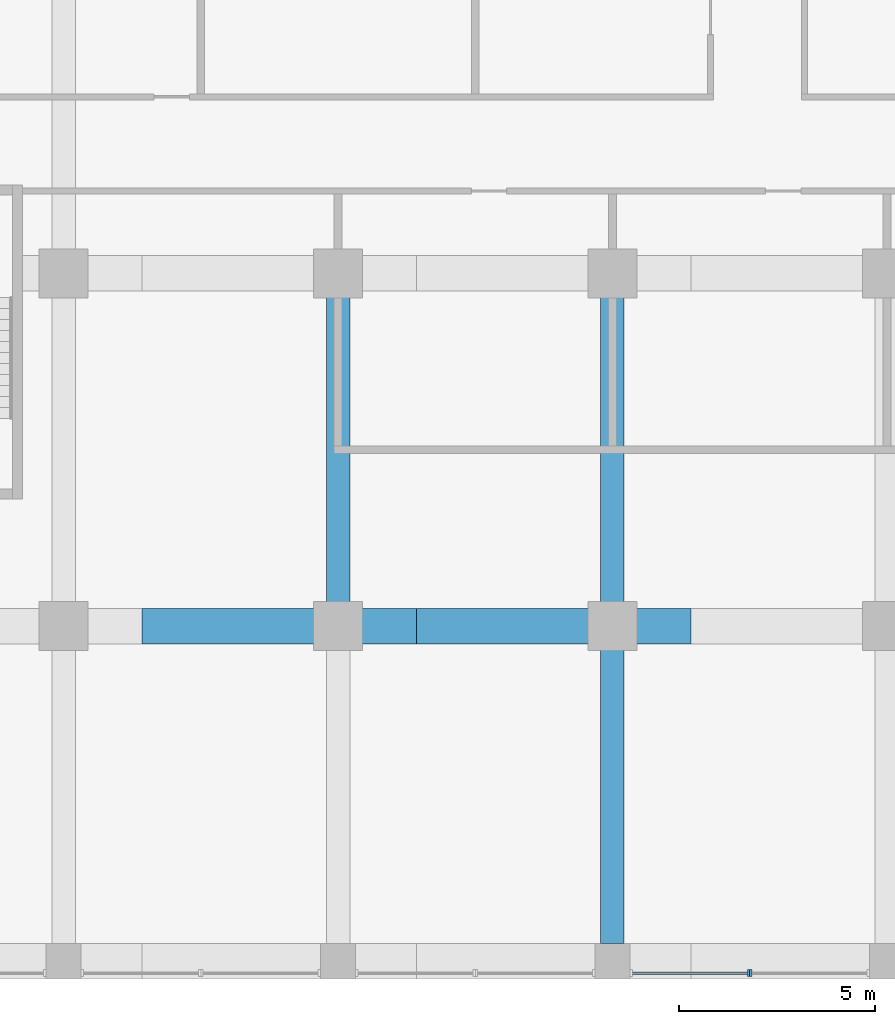
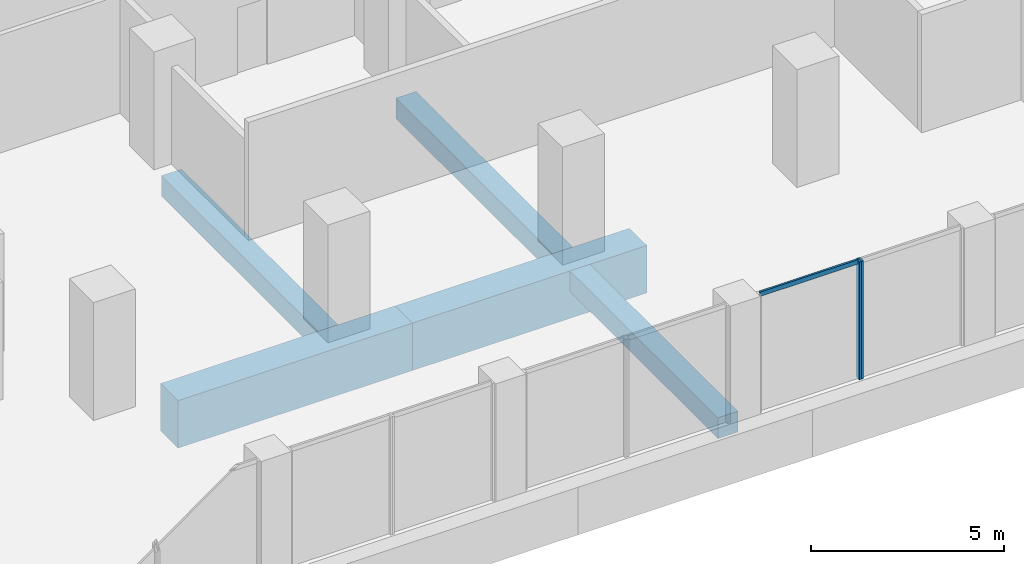
# One storey, part 3 of 20: 5 beams, 3 members, 2 elements without a shape of their own.
"""IFC4 building model written with IfcOpenShell, lengths in metres."""

from ifc_helpers import new_model, si_unit, direction, frame, origin, origin_2d, place, context, subcontext, project, spatial, rectangle, extrude, source, transform, mapped, material, material_profile, profile_set, type_object, element, aggregate, save


model = new_model("IFC4")

# Units and contexts
model_context = context("Model", 3, precision=1e-05, world=origin(), true_north=direction((0.0, 1.0)))
body_context = subcontext(model_context, "Body", "Model", "MODEL_VIEW")
ifc_project = project(units=[si_unit("LENGTHUNIT", "METRE"), si_unit("AREAUNIT", "SQUARE_METRE"), si_unit("VOLUMEUNIT", "CUBIC_METRE"), si_unit("PLANEANGLEUNIT", "RADIAN"), si_unit("MASSUNIT", "GRAM", prefix="KILO")], contexts=[model_context])

# Site, building, storey
site_placement = place(None, origin())
site = spatial("IfcSite", under=ifc_project, at=site_placement, CompositionType="ELEMENT")
building_placement = place(site_placement, origin())
building = spatial("IfcBuilding", under=site, at=building_placement, Name="Kilnfold Tower and Market Hall", CompositionType="ELEMENT")
storey_placement = place(building_placement, frame((0.0, 0.0, 63.199951171875)))
storey = spatial("IfcBuildingStorey", under=building, at=storey_placement, Name="L14", CompositionType="ELEMENT", Elevation=63.199951171875)

# Beams
ifc_material_1 = material(Name="Concrete C60", Category="concrete")
ifc_material_profile_1 = material_profile(ifc_material_1, rectangle(XDim=0.89990234375, YDim=1.5, at=origin_2d()), Name="RC 900x1500")
ifc_profile_set_1 = profile_set([ifc_material_profile_1], Name="Concrete C60")
beam_type_1 = type_object("IfcBeamType", Name="TRANSFER GIRDER 900X1500 C60", PredefinedType="BEAM", material=ifc_profile_set_1)
shared_shape_1 = source(origin(), body_context, "Body", "SweptSolid", [
    extrude(rectangle(XDim=0.89990234375, YDim=1.5, at=origin_2d()), origin(), (0.0, 0.0, 1.0), 7.0),
])
for number, where, z_axis, x_axis, name in (
    (1, (-10.5, -19.0, -1.14990234375), (1.0, 0.0, 0.0), (0.0, 1.0, 0.0), "Beam TG1500-B2.13"),
    (2, (-3.5, -19.0, -1.14990234375), (1.0, 0.0, 0.0), (0.0, 1.0, 0.0), "Beam TG1500-B2.17"),
):
    element("IfcBeam", number, at=place(storey_placement, frame(where, z_axis=z_axis, x_axis=x_axis)), inside=storey, type_object=beam_type_1, Name=name, PredefinedType="BEAM", context=body_context, shape_type="MappedRepresentation", body=[
        mapped(shared_shape_1, transform((0.0, 0.0, 0.0))),
    ])
ifc_material_2 = material(Name="Concrete C45", Category="concrete")
ifc_material_profile_2 = material_profile(ifc_material_2, rectangle(XDim=0.60009765625, YDim=0.64990234375, at=origin_2d()), Name="RC 600x650")
ifc_profile_set_2 = profile_set([ifc_material_profile_2], Name="Concrete C45")
beam_type_2 = type_object("IfcBeamType", Name="BEAM 600X650 C45", PredefinedType="BEAM", material=ifc_profile_set_2)
shared_shape_2 = source(origin(), body_context, "Body", "SweptSolid", [
    extrude(rectangle(XDim=0.60009765625, YDim=0.64990234375, at=origin_2d()), origin(), (0.0, 0.0, 1.0), 7.650146484375),
])
beam_placement = place(storey_placement, frame((1.5, -27.10009765625, -0.724853515625), z_axis=(0.0, 1.0, 0.0), x_axis=(-1.0, 0.0, 0.0)))
element("IfcBeam", 3, at=beam_placement, inside=storey, type_object=beam_type_2, Name="Beam BB650-B2.48", PredefinedType="BEAM", context=body_context, shape_type="MappedRepresentation", body=[
    mapped(shared_shape_2, transform((0.0, 0.0, 0.0))),
])
shared_shape_3 = source(origin(), body_context, "Body", "SweptSolid", [
    extrude(rectangle(XDim=0.60009765625, YDim=0.64990234375, at=origin_2d()), origin(), (0.0, 0.0, 1.0), 8.10009765625),
])
for number, where, z_axis, x_axis, name in (
    (4, (-5.5, -18.550048828125, -0.724853515625), (0.0, 1.0, 0.0), (-1.0, 0.0, 0.0), "Beam BB650-B2.47"),
    (5, (1.5, -18.550048828125, -0.724853515625), (0.0, 1.0, 0.0), (-1.0, 0.0, 0.0), "Beam BB650-B2.49"),
):
    element("IfcBeam", number, at=place(storey_placement, frame(where, z_axis=z_axis, x_axis=x_axis)), inside=storey, type_object=beam_type_2, Name=name, PredefinedType="BEAM", context=body_context, shape_type="MappedRepresentation", body=[
        mapped(shared_shape_3, transform((0.0, 0.0, 0.0))),
    ])

# Curtain wall, member
ifc_material_3 = material(Name="Aluminium and double glazing", Category="aluminium")
curtain_wall_type = type_object("IfcCurtainWallType", Name="CW OF1 VALLEY GLAZING", PredefinedType="NOTDEFINED", material=ifc_material_3)
curtain_wall_1_placement = place(storey_placement, origin())
curtain_wall_1 = element("IfcCurtainWall", 6, at=curtain_wall_1_placement, inside=storey, type_object=curtain_wall_type, Name="Curtain wall CW1 L14 S", PredefinedType="NOTDEFINED")
ifc_material_4 = material(Name="Aluminium", Category="aluminium")
ifc_material_profile_3 = material_profile(ifc_material_4, rectangle(XDim=0.06005859375, YDim=0.179931640625, at=origin_2d()), Name="MULLION 60x180")
ifc_profile_set_3 = profile_set([ifc_material_profile_3], Name="Aluminium")
member_type_1 = type_object("IfcMemberType", Name="MULLION 60X180", PredefinedType="MULLION", material=ifc_profile_set_3)
shared_shape_4 = source(origin(), body_context, "Body", "SweptSolid", [
    extrude(rectangle(XDim=0.06005859375, YDim=0.179931640625, at=origin_2d()), origin(), (0.0, 0.0, 1.0), 3.719970703125),
])
member_1_placement = place(storey_placement, frame((4.969970703125, -27.85009765625, 0.0), z_axis=(0.0, 0.0, 1.0), x_axis=(1.0, 0.0, 0.0)))
member_1 = element("IfcMember", 7, at=member_1_placement, type_object=member_type_1, Name="CW1 mullion 2", PredefinedType="MULLION", context=body_context, shape_type="MappedRepresentation", body=[
    mapped(shared_shape_4, transform((0.0, 0.0, 0.0))),
])

curtain_wall_2_placement = place(storey_placement, origin())
curtain_wall_2 = element("IfcCurtainWall", 8, at=curtain_wall_2_placement, inside=storey, type_object=curtain_wall_type, Name="Curtain wall CW1 L14 S", PredefinedType="NOTDEFINED")
member_2_placement = place(storey_placement, frame((5.030029296875, -27.85009765625, 0.0), z_axis=(0.0, 0.0, 1.0), x_axis=(1.0, 0.0, 0.0)))
member_2 = element("IfcMember", 9, at=member_2_placement, type_object=member_type_1, Name="CW1 mullion 1", PredefinedType="MULLION", context=body_context, shape_type="MappedRepresentation", body=[
    mapped(shared_shape_4, transform((0.0, 0.0, 0.0))),
])
aggregate(curtain_wall_2, [member_2])

# Member
ifc_material_5 = material(Name="Aluminium", Category="aluminium")
ifc_material_profile_4 = material_profile(ifc_material_5, rectangle(XDim=0.06005859375, YDim=0.139892578125, at=origin_2d()), Name="TRANSOM 60x140")
ifc_profile_set_4 = profile_set([ifc_material_profile_4], Name="Aluminium")
member_type_2 = type_object("IfcMemberType", Name="TRANSOM 60X140", PredefinedType="USERDEFINED", material=ifc_profile_set_4)
shared_shape_5 = source(origin(), body_context, "Body", "SweptSolid", [
    extrude(rectangle(XDim=0.06005859375, YDim=0.139892578125, at=origin_2d()), origin(), (0.0, 0.0, 1.0), 2.929931640625),
])
member_3_placement = place(storey_placement, frame((2.010009765625, -27.85009765625, 3.68994140625), z_axis=(1.0, 0.0, 0.0), x_axis=(0.0, 1.0, 0.0)))
member_3 = element("IfcMember", 10, at=member_3_placement, type_object=member_type_2, Name="CW1 transom 1.2", ObjectType="TRANSOM", PredefinedType="USERDEFINED", context=body_context, shape_type="MappedRepresentation", body=[
    mapped(shared_shape_5, transform((0.0, 0.0, 0.0))),
])

aggregate(curtain_wall_1, [member_1, member_3])

save(model, "model.ifc")
